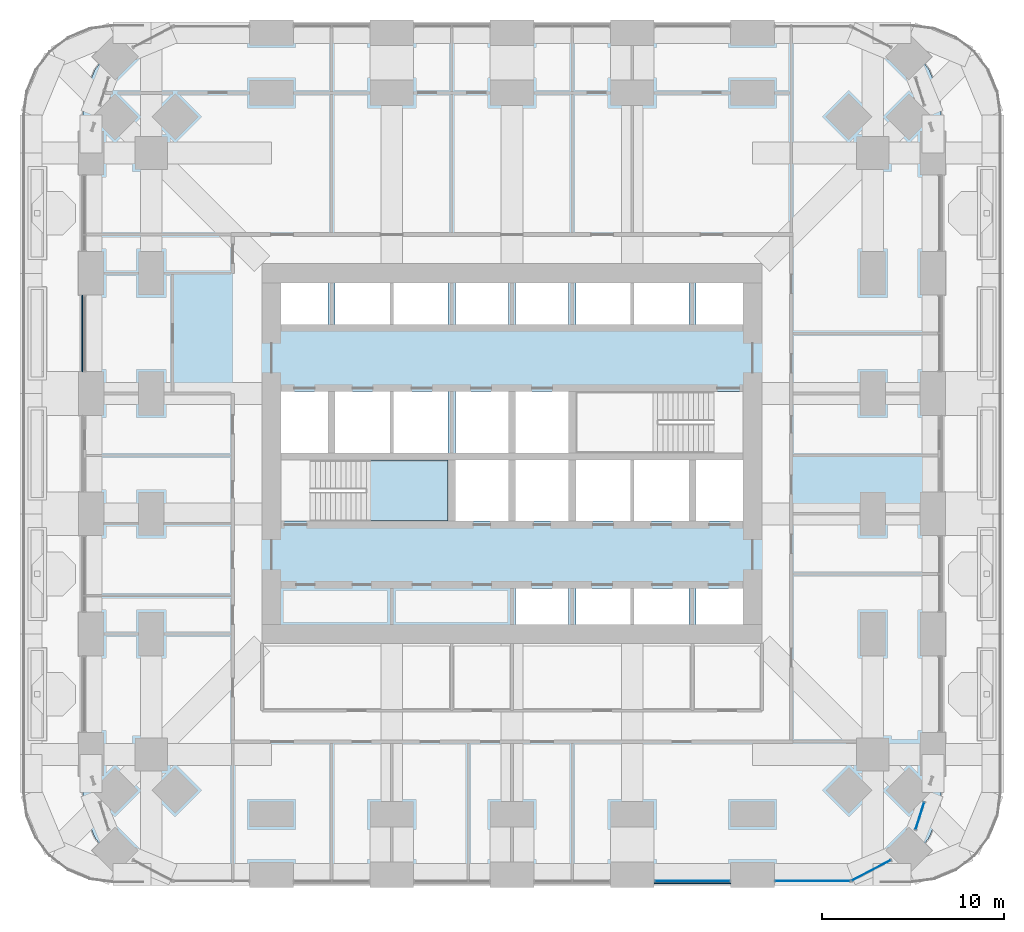
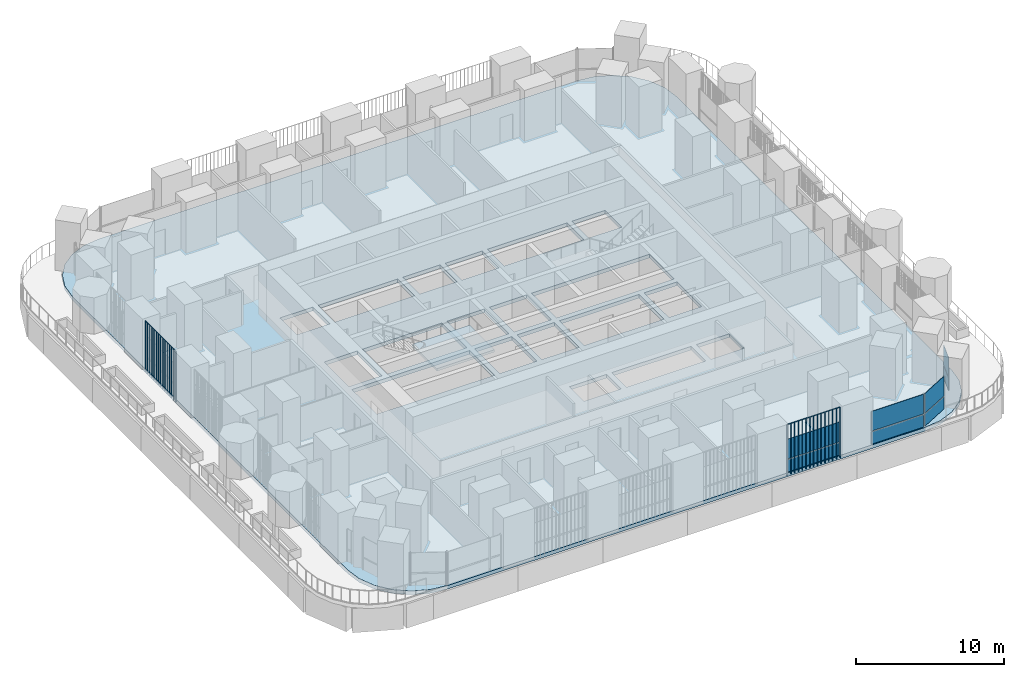
# One storey, part 12 of 27: 10 plates, 2 slabs, 5 elements without a shape of their own.
"""IFC4 building model written with IfcOpenShell, lengths in metres."""

from ifc_helpers import new_model, si_unit, direction, frame, origin, origin_2d, place, context, subcontext, project, spatial, polyline, rectangle, outline, extrude, material, layer, layer_set, type_object, element, aggregate, save


model = new_model("IFC4")

# Units and contexts
model_context = context("Model", 3, precision=1e-05, world=origin(), true_north=direction((0.0, 1.0)))
body_context = subcontext(model_context, "Body", "Model", "MODEL_VIEW")
ifc_project = project(units=[si_unit("LENGTHUNIT", "METRE"), si_unit("AREAUNIT", "SQUARE_METRE"), si_unit("VOLUMEUNIT", "CUBIC_METRE"), si_unit("PLANEANGLEUNIT", "RADIAN"), si_unit("MASSUNIT", "GRAM", prefix="KILO")], contexts=[model_context])

# Site, building, storey
site_placement = place(None, origin())
site = spatial("IfcSite", under=ifc_project, at=site_placement, CompositionType="ELEMENT")
building_placement = place(site_placement, origin())
building = spatial("IfcBuilding", under=site, at=building_placement, Name="Cobogo Forest Laboratory Tower", CompositionType="ELEMENT")
storey_placement = place(building_placement, frame((0.0, 0.0, 82.199951171875)))
storey = spatial("IfcBuildingStorey", under=building, at=storey_placement, Name="L18", CompositionType="ELEMENT", Elevation=82.199951171875)

# Slab
ifc_material_1 = material(Name="Concrete HA-40 (C40/50)", Category="concrete")
ifc_layer_1 = layer(ifc_material_1, 0.300048828125)
ifc_layer_set_1 = layer_set([ifc_layer_1], Name="Floor slab 300")
slab_type_1 = type_object("IfcSlabType", Name="Floor slab 300", PredefinedType="FLOOR", material=ifc_layer_set_1)
slab_1_placement = place(storey_placement, frame((0.0, 0.0, -0.300048828125)))
element("IfcSlab", 1, at=slab_1_placement, inside=storey, type_object=slab_type_1, Name="L18 floor slab", PredefinedType="FLOOR", context=body_context, shape_type="SweptSolid", body=[
    extrude(outline(polyline([(45.0, -0.449951171875), (46.28125, -0.28125), (47.47509765625, 0.213134765625), (48.500244140625, 0.999755859375), (49.286865234375, 2.02490234375), (49.78125, 3.21875), (49.949951171875, 4.5), (49.949951171875, 41.699951171875), (49.78125, 42.981201171875), (49.286865234375, 44.175048828125), (48.500244140625, 45.2001953125), (47.47509765625, 45.98681640625), (46.28125, 46.4814453125), (45.0, 46.64990234375), (7.800048828125, 46.64990234375), (6.518798828125, 46.4814453125), (5.324951171875, 45.98681640625), (4.2998046875, 45.2001953125), (3.51318359375, 44.175048828125), (3.0185546875, 42.981201171875), (2.85009765625, 41.699951171875), (2.85009765625, 4.5), (3.0185546875, 3.21875), (3.51318359375, 2.02490234375), (4.2998046875, 0.999755859375), (5.324951171875, 0.213134765625), (6.518798828125, -0.28125), (7.800048828125, -0.449951171875), (45.0, -0.449951171875)]), holes=[polyline([(29.5, 13.72509765625), (26.60009765625, 13.72509765625), (26.60009765625, 15.699951171875), (29.5, 15.699951171875), (29.5, 13.72509765625)]), polyline([(36.10009765625, 15.699951171875), (36.10009765625, 13.72509765625), (29.89990234375, 13.72509765625), (29.89990234375, 15.699951171875), (36.10009765625, 15.699951171875)]), polyline([(36.5, 13.72509765625), (36.5, 15.699951171875), (39.074951171875, 15.699951171875), (39.074951171875, 13.72509765625), (36.5, 13.72509765625)]), polyline([(13.72509765625, 19.39990234375), (13.72509765625, 22.75), (22.89990234375, 22.75), (22.89990234375, 19.39990234375), (13.72509765625, 19.39990234375)]), polyline([(23.300048828125, 19.39990234375), (23.300048828125, 22.75), (26.199951171875, 22.75), (26.199951171875, 19.39990234375), (23.300048828125, 19.39990234375)]), polyline([(29.5, 19.39990234375), (26.60009765625, 19.39990234375), (26.60009765625, 22.75), (29.5, 22.75), (29.5, 19.39990234375)]), polyline([(36.10009765625, 22.75), (36.10009765625, 19.39990234375), (29.89990234375, 19.39990234375), (29.89990234375, 22.75), (36.10009765625, 22.75)]), polyline([(39.074951171875, 19.39990234375), (36.5, 19.39990234375), (36.5, 22.75), (39.074951171875, 22.75), (39.074951171875, 19.39990234375)]), polyline([(16.300048828125, 23.14990234375), (13.72509765625, 23.14990234375), (13.72509765625, 26.5), (16.300048828125, 26.5), (16.300048828125, 23.14990234375)]), polyline([(22.89990234375, 26.5), (22.89990234375, 23.14990234375), (16.699951171875, 23.14990234375), (16.699951171875, 26.5), (22.89990234375, 26.5)]), polyline([(26.199951171875, 23.14990234375), (23.300048828125, 23.14990234375), (23.300048828125, 26.5), (26.199951171875, 26.5), (26.199951171875, 23.14990234375)]), polyline([(26.60009765625, 23.14990234375), (26.60009765625, 26.5), (29.5, 26.5), (29.5, 23.14990234375), (26.60009765625, 23.14990234375)]), polyline([(29.89990234375, 23.14990234375), (29.89990234375, 26.5), (39.074951171875, 26.5), (39.074951171875, 23.14990234375), (29.89990234375, 23.14990234375)]), polyline([(13.72509765625, 30.199951171875), (13.72509765625, 32.47509765625), (16.300048828125, 32.47509765625), (16.300048828125, 30.199951171875), (13.72509765625, 30.199951171875)]), polyline([(22.89990234375, 32.47509765625), (22.89990234375, 30.199951171875), (16.699951171875, 30.199951171875), (16.699951171875, 32.47509765625), (22.89990234375, 32.47509765625)]), polyline([(23.300048828125, 30.199951171875), (23.300048828125, 32.47509765625), (26.199951171875, 32.47509765625), (26.199951171875, 30.199951171875), (23.300048828125, 30.199951171875)]), polyline([(26.60009765625, 30.199951171875), (26.60009765625, 32.47509765625), (29.5, 32.47509765625), (29.5, 30.199951171875), (26.60009765625, 30.199951171875)]), polyline([(36.10009765625, 32.47509765625), (36.10009765625, 30.199951171875), (29.89990234375, 30.199951171875), (29.89990234375, 32.47509765625), (36.10009765625, 32.47509765625)]), polyline([(36.5, 30.199951171875), (36.5, 32.47509765625), (39.074951171875, 32.47509765625), (39.074951171875, 30.199951171875), (36.5, 30.199951171875)])]), origin(), (0.0, 0.0, 1.0), 0.300048828125),
])

# Curtain wall, plates
ifc_material_2 = material(Name="Aluminium curtain wall", Category="aluminium")
curtain_wall_type = type_object("IfcCurtainWallType", Name="CW-1 unitised curtain wall, clear glazing, laboratory floors zones A and B", PredefinedType="USERDEFINED", material=ifc_material_2)
curtain_wall_1_placement = place(storey_placement, origin())
curtain_wall_1 = element("IfcCurtainWall", 2, at=curtain_wall_1_placement, inside=storey, type_object=curtain_wall_type, Name="Curtain wall 05 L18", ObjectType="UNITISED CURTAIN WALL", PredefinedType="USERDEFINED")
ifc_material_3 = material(Name="Clear insulated glass", Category="glass")
ifc_layer_2 = layer(ifc_material_3, 0.028076171875)
ifc_layer_set_2 = layer_set([ifc_layer_2], Name="GP-1 clear insulated glass unit 28")
plate_type_1 = type_object("IfcPlateType", Name="GP-1 clear insulated glass unit 28", PredefinedType="CURTAIN_PANEL", material=ifc_layer_set_2)
plate_1_placement = place(storey_placement, frame((36.300048828125, -0.35009765625, 0.0), z_axis=(0.0, 0.0, 1.0), x_axis=(1.0, 0.0, 0.0)))
plate_1 = element("IfcPlate", 3, at=plate_1_placement, type_object=plate_type_1, Name="CW-1 panel 1.1", PredefinedType="CURTAIN_PANEL", context=body_context, shape_type="SweptSolid", body=[
    extrude(rectangle(XDim=4.080078125, YDim=0.028076171875, at=origin_2d()), origin(), (0.0, 0.0, 1.0), 1.02001953125),
])
plate_2_placement = place(storey_placement, frame((36.300048828125, -0.35009765625, 1.080078125), z_axis=(0.0, 0.0, 1.0), x_axis=(1.0, 0.0, 0.0)))
plate_2 = element("IfcPlate", 4, at=plate_2_placement, type_object=plate_type_1, Name="CW-1 panel 1.2", PredefinedType="CURTAIN_PANEL", context=body_context, shape_type="SweptSolid", body=[
    extrude(rectangle(XDim=4.080078125, YDim=0.028076171875, at=origin_2d()), origin(), (0.0, 0.0, 1.0), 1.6201171875),
])
aggregate(curtain_wall_1, [plate_1, plate_2])

curtain_wall_2_placement = place(storey_placement, origin())
curtain_wall_2 = element("IfcCurtainWall", 5, at=curtain_wall_2_placement, inside=storey, type_object=curtain_wall_type, Name="Curtain wall 06 L18", ObjectType="UNITISED CURTAIN WALL", PredefinedType="USERDEFINED")
plate_3_placement = place(storey_placement, frame((42.89990234375, -0.35009765625, 0.0), z_axis=(0.0, 0.0, 1.0), x_axis=(1.0, 0.0, 0.0)))
plate_3 = element("IfcPlate", 6, at=plate_3_placement, type_object=plate_type_1, Name="CW-1 panel 1.1", PredefinedType="CURTAIN_PANEL", context=body_context, shape_type="SweptSolid", body=[
    extrude(rectangle(XDim=4.080078125, YDim=0.028076171875, at=origin_2d()), origin(), (0.0, 0.0, 1.0), 1.02001953125),
])
plate_4_placement = place(storey_placement, frame((42.89990234375, -0.35009765625, 1.080078125), z_axis=(0.0, 0.0, 1.0), x_axis=(1.0, 0.0, 0.0)))
plate_4 = element("IfcPlate", 7, at=plate_4_placement, type_object=plate_type_1, Name="CW-1 panel 1.2", PredefinedType="CURTAIN_PANEL", context=body_context, shape_type="SweptSolid", body=[
    extrude(rectangle(XDim=4.080078125, YDim=0.028076171875, at=origin_2d()), origin(), (0.0, 0.0, 1.0), 1.6201171875),
])
aggregate(curtain_wall_2, [plate_3, plate_4])

curtain_wall_3_placement = place(storey_placement, origin())
curtain_wall_3 = element("IfcCurtainWall", 8, at=curtain_wall_3_placement, inside=storey, type_object=curtain_wall_type, Name="Curtain wall 07 L18", ObjectType="UNITISED CURTAIN WALL", PredefinedType="USERDEFINED")
plate_5_placement = place(storey_placement, frame((46.113037109375, 0.233642578125, 0.0), z_axis=(0.0, 0.0, 1.0), x_axis=(0.885686598126, 0.4642835878, 0.0)))
plate_5 = element("IfcPlate", 9, at=plate_5_placement, type_object=plate_type_1, Name="CW-1 panel 1.1", PredefinedType="CURTAIN_PANEL", context=body_context, shape_type="SweptSolid", body=[
    extrude(rectangle(XDim=2.3935546875, YDim=0.028076171875, at=origin_2d()), origin(), (0.0, 0.0, 1.0), 1.02001953125),
])
plate_6_placement = place(storey_placement, frame((46.113037109375, 0.233642578125, 1.080078125), z_axis=(0.0, 0.0, 1.0), x_axis=(0.885686598126, 0.4642835878, 0.0)))
plate_6 = element("IfcPlate", 10, at=plate_6_placement, type_object=plate_type_1, Name="CW-1 panel 1.2", PredefinedType="CURTAIN_PANEL", context=body_context, shape_type="SweptSolid", body=[
    extrude(rectangle(XDim=2.3935546875, YDim=0.028076171875, at=origin_2d()), origin(), (0.0, 0.0, 1.0), 1.6201171875),
])
aggregate(curtain_wall_3, [plate_5, plate_6])

curtain_wall_4_placement = place(storey_placement, origin())
curtain_wall_4 = element("IfcCurtainWall", 11, at=curtain_wall_4_placement, inside=storey, type_object=curtain_wall_type, Name="Curtain wall 08 L18", ObjectType="UNITISED CURTAIN WALL", PredefinedType="USERDEFINED")
plate_7_placement = place(storey_placement, frame((48.7822265625, 3.218505859375, 0.0), z_axis=(0.0, 0.0, 1.0), x_axis=(0.301135106076, 0.953581484661, 0.0)))
plate_7 = element("IfcPlate", 12, at=plate_7_placement, type_object=plate_type_1, Name="CW-1 panel 1.1", PredefinedType="CURTAIN_PANEL", context=body_context, shape_type="SweptSolid", body=[
    extrude(rectangle(XDim=1.54443359375, YDim=0.028076171875, at=origin_2d()), origin(), (0.0, 0.0, 1.0), 1.02001953125),
])
plate_8_placement = place(storey_placement, frame((48.7822265625, 3.218505859375, 1.080078125), z_axis=(0.0, 0.0, 1.0), x_axis=(0.301135106076, 0.953581484661, 0.0)))
plate_8 = element("IfcPlate", 13, at=plate_8_placement, type_object=plate_type_1, Name="CW-1 panel 1.2", PredefinedType="CURTAIN_PANEL", context=body_context, shape_type="SweptSolid", body=[
    extrude(rectangle(XDim=1.54443359375, YDim=0.028076171875, at=origin_2d()), origin(), (0.0, 0.0, 1.0), 1.6201171875),
])
aggregate(curtain_wall_4, [plate_7, plate_8])

# Stair, slab
ifc_material_4 = material(Name="Precast concrete HA-40 (C40/50)", Category="concrete")
stair_type = type_object("IfcStairType", Name="ST24 exit stair 24 risers", PredefinedType="HALF_TURN_STAIR", material=ifc_material_4)
stair_placement = place(storey_placement, origin())
stair = element("IfcStair", 14, at=stair_placement, inside=storey, type_object=stair_type, Name="Stair 1 L18 to L19", PredefinedType="HALF_TURN_STAIR")
ifc_layer_3 = layer(ifc_material_1, 0.199951171875)
ifc_layer_set_3 = layer_set([ifc_layer_3], Name="SL stair landing 200")
slab_type_2 = type_object("IfcSlabType", Name="SL stair landing 200", PredefinedType="LANDING", material=ifc_layer_set_3)
slab_2_placement = place(storey_placement, frame((0.0, 0.0, 1.900146484375)))
slab_2 = element("IfcSlab", 15, at=slab_2_placement, type_object=slab_type_2, Name="ST1 landing 2", PredefinedType="LANDING", context=body_context, shape_type="SweptSolid", body=[
    extrude(outline(polyline([(18.403076171875, 19.39990234375), (22.89990234375, 19.39990234375), (22.89990234375, 22.75), (18.403076171875, 22.75), (18.403076171875, 19.39990234375)])), origin(), (0.0, 0.0, 1.0), 0.199951171875),
])
aggregate(stair, [slab_2])

# Plates
ifc_material_5 = material(Name="Terracotta", Category="masonry")
plate_type_2 = type_object("IfcPlateType", Name="TB1 terracotta baguette screen", PredefinedType="USERDEFINED", material=ifc_material_5)
plate_9_placement = place(storey_placement, frame((34.231201171875, -0.477783203125, -0.14990234375)))
element("IfcPlate", 16, at=plate_9_placement, inside=storey, type_object=plate_type_2, Name="Baguette screen S4 L18", ObjectType="BAGUETTE SCREEN", PredefinedType="USERDEFINED", context=body_context, shape_type="SweptSolid", body=[
    extrude(outline(polyline([(0.02880859375, 0.011962890625), (0.011962890625, 0.02880859375), (-0.011962890625, 0.02880859375), (-0.02880859375, 0.011962890625), (-0.02880859375, -0.011962890625), (-0.011962890625, -0.02880859375), (0.011962890625, -0.02880859375), (0.02880859375, -0.011962890625), (0.02880859375, 0.011962890625)])), frame((0.0, 0.0, 4.168701171875), z_axis=(1.0, 0.0, 0.0), x_axis=(0.0, 1.0, 0.0)), (0.0, 0.0, 1.0), 4.137451171875),
    extrude(outline(polyline([(0.02880859375, 0.011962890625), (0.011962890625, 0.02880859375), (-0.011962890625, 0.02880859375), (-0.02880859375, 0.011962890625), (-0.02880859375, -0.011962890625), (-0.011962890625, -0.02880859375), (0.011962890625, -0.02880859375), (0.02880859375, -0.011962890625), (0.02880859375, 0.011962890625)])), origin(), (0.0, 0.0, 1.0), 4.137451171875),
    extrude(outline(polyline([(0.02880859375, 0.011962890625), (0.011962890625, 0.02880859375), (-0.011962890625, 0.02880859375), (-0.02880859375, 0.011962890625), (-0.02880859375, -0.011962890625), (-0.011962890625, -0.02880859375), (0.011962890625, -0.02880859375), (0.02880859375, -0.011962890625), (0.02880859375, 0.011962890625)])), frame((0.29541015625, 0.0, 0.0)), (0.0, 0.0, 1.0), 4.137451171875),
    extrude(outline(polyline([(0.02880859375, 0.011962890625), (0.011962890625, 0.02880859375), (-0.011962890625, 0.02880859375), (-0.02880859375, 0.011962890625), (-0.02880859375, -0.011962890625), (-0.011962890625, -0.02880859375), (0.011962890625, -0.02880859375), (0.02880859375, -0.011962890625), (0.02880859375, 0.011962890625)])), frame((0.591064453125, 0.0, 0.0)), (0.0, 0.0, 1.0), 4.137451171875),
    extrude(outline(polyline([(0.02880859375, 0.011962890625), (0.011962890625, 0.02880859375), (-0.011962890625, 0.02880859375), (-0.02880859375, 0.011962890625), (-0.02880859375, -0.011962890625), (-0.011962890625, -0.02880859375), (0.011962890625, -0.02880859375), (0.02880859375, -0.011962890625), (0.02880859375, 0.011962890625)])), frame((0.88671875, 0.0, 0.0)), (0.0, 0.0, 1.0), 4.137451171875),
    extrude(outline(polyline([(0.02880859375, 0.011962890625), (0.011962890625, 0.02880859375), (-0.011962890625, 0.02880859375), (-0.02880859375, 0.011962890625), (-0.02880859375, -0.011962890625), (-0.011962890625, -0.02880859375), (0.011962890625, -0.02880859375), (0.02880859375, -0.011962890625), (0.02880859375, 0.011962890625)])), frame((1.18212890625, 0.0, 0.0)), (0.0, 0.0, 1.0), 4.137451171875),
    extrude(outline(polyline([(0.02880859375, 0.011962890625), (0.011962890625, 0.02880859375), (-0.011962890625, 0.02880859375), (-0.02880859375, 0.011962890625), (-0.02880859375, -0.011962890625), (-0.011962890625, -0.02880859375), (0.011962890625, -0.02880859375), (0.02880859375, -0.011962890625), (0.02880859375, 0.011962890625)])), frame((1.4775390625, 0.0, 0.0)), (0.0, 0.0, 1.0), 4.137451171875),
    extrude(outline(polyline([(0.02880859375, 0.011962890625), (0.011962890625, 0.02880859375), (-0.011962890625, 0.02880859375), (-0.02880859375, 0.011962890625), (-0.02880859375, -0.011962890625), (-0.011962890625, -0.02880859375), (0.011962890625, -0.02880859375), (0.02880859375, -0.011962890625), (0.02880859375, 0.011962890625)])), frame((1.773193359375, 0.0, 0.0)), (0.0, 0.0, 1.0), 4.137451171875),
    extrude(outline(polyline([(0.02880859375, 0.011962890625), (0.011962890625, 0.02880859375), (-0.011962890625, 0.02880859375), (-0.02880859375, 0.011962890625), (-0.02880859375, -0.011962890625), (-0.011962890625, -0.02880859375), (0.011962890625, -0.02880859375), (0.02880859375, -0.011962890625), (0.02880859375, 0.011962890625)])), frame((2.06884765625, 0.0, 0.0)), (0.0, 0.0, 1.0), 4.137451171875),
    extrude(outline(polyline([(0.02880859375, 0.011962890625), (0.011962890625, 0.02880859375), (-0.011962890625, 0.02880859375), (-0.02880859375, 0.011962890625), (-0.02880859375, -0.011962890625), (-0.011962890625, -0.02880859375), (0.011962890625, -0.02880859375), (0.02880859375, -0.011962890625), (0.02880859375, 0.011962890625)])), frame((2.3642578125, 0.0, 0.0)), (0.0, 0.0, 1.0), 4.137451171875),
    extrude(outline(polyline([(0.02880859375, 0.011962890625), (0.011962890625, 0.02880859375), (-0.011962890625, 0.02880859375), (-0.02880859375, 0.011962890625), (-0.02880859375, -0.011962890625), (-0.011962890625, -0.02880859375), (0.011962890625, -0.02880859375), (0.02880859375, -0.011962890625), (0.02880859375, 0.011962890625)])), frame((2.65966796875, 0.0, 0.0)), (0.0, 0.0, 1.0), 4.137451171875),
    extrude(outline(polyline([(0.02880859375, 0.011962890625), (0.011962890625, 0.02880859375), (-0.011962890625, 0.02880859375), (-0.02880859375, 0.011962890625), (-0.02880859375, -0.011962890625), (-0.011962890625, -0.02880859375), (0.011962890625, -0.02880859375), (0.02880859375, -0.011962890625), (0.02880859375, 0.011962890625)])), frame((2.955322265625, 0.0, 0.0)), (0.0, 0.0, 1.0), 4.137451171875),
    extrude(outline(polyline([(0.02880859375, 0.011962890625), (0.011962890625, 0.02880859375), (-0.011962890625, 0.02880859375), (-0.02880859375, 0.011962890625), (-0.02880859375, -0.011962890625), (-0.011962890625, -0.02880859375), (0.011962890625, -0.02880859375), (0.02880859375, -0.011962890625), (0.02880859375, 0.011962890625)])), frame((3.2509765625, 0.0, 0.0)), (0.0, 0.0, 1.0), 4.137451171875),
    extrude(outline(polyline([(0.02880859375, 0.011962890625), (0.011962890625, 0.02880859375), (-0.011962890625, 0.02880859375), (-0.02880859375, 0.011962890625), (-0.02880859375, -0.011962890625), (-0.011962890625, -0.02880859375), (0.011962890625, -0.02880859375), (0.02880859375, -0.011962890625), (0.02880859375, 0.011962890625)])), frame((3.54638671875, 0.0, 0.0)), (0.0, 0.0, 1.0), 4.137451171875),
    extrude(outline(polyline([(0.02880859375, 0.011962890625), (0.011962890625, 0.02880859375), (-0.011962890625, 0.02880859375), (-0.02880859375, 0.011962890625), (-0.02880859375, -0.011962890625), (-0.011962890625, -0.02880859375), (0.011962890625, -0.02880859375), (0.02880859375, -0.011962890625), (0.02880859375, 0.011962890625)])), frame((3.841796875, 0.0, 0.0)), (0.0, 0.0, 1.0), 4.137451171875),
    extrude(outline(polyline([(0.02880859375, 0.011962890625), (0.011962890625, 0.02880859375), (-0.011962890625, 0.02880859375), (-0.02880859375, 0.011962890625), (-0.02880859375, -0.011962890625), (-0.011962890625, -0.02880859375), (0.011962890625, -0.02880859375), (0.02880859375, -0.011962890625), (0.02880859375, 0.011962890625)])), frame((4.137451171875, 0.0, 0.0)), (0.0, 0.0, 1.0), 4.137451171875),
])
plate_10_placement = place(storey_placement, frame((2.822021484375, 27.63134765625, -0.14990234375)))
element("IfcPlate", 17, at=plate_10_placement, inside=storey, type_object=plate_type_2, Name="Baguette screen W4 L18", ObjectType="BAGUETTE SCREEN", PredefinedType="USERDEFINED", context=body_context, shape_type="SweptSolid", body=[
    extrude(outline(polyline([(0.02880859375, 0.011962890625), (0.011962890625, 0.02880859375), (-0.011962890625, 0.02880859375), (-0.02880859375, 0.011962890625), (-0.02880859375, -0.011962890625), (-0.011962890625, -0.02880859375), (0.011962890625, -0.02880859375), (0.02880859375, -0.011962890625), (0.02880859375, 0.011962890625)])), frame((0.0, 0.0, 4.168701171875), z_axis=(0.0, 1.0, 0.0), x_axis=(-1.0, 0.0, 0.0)), (0.0, 0.0, 1.0), 4.137451171875),
    extrude(outline(polyline([(0.02880859375, 0.011962890625), (0.011962890625, 0.02880859375), (-0.011962890625, 0.02880859375), (-0.02880859375, 0.011962890625), (-0.02880859375, -0.011962890625), (-0.011962890625, -0.02880859375), (0.011962890625, -0.02880859375), (0.02880859375, -0.011962890625), (0.02880859375, 0.011962890625)])), origin(), (0.0, 0.0, 1.0), 4.137451171875),
    extrude(outline(polyline([(0.02880859375, 0.011962890625), (0.011962890625, 0.02880859375), (-0.011962890625, 0.02880859375), (-0.02880859375, 0.011962890625), (-0.02880859375, -0.011962890625), (-0.011962890625, -0.02880859375), (0.011962890625, -0.02880859375), (0.02880859375, -0.011962890625), (0.02880859375, 0.011962890625)])), frame((0.0, 0.29541015625, 0.0)), (0.0, 0.0, 1.0), 4.137451171875),
    extrude(outline(polyline([(0.02880859375, 0.011962890625), (0.011962890625, 0.02880859375), (-0.011962890625, 0.02880859375), (-0.02880859375, 0.011962890625), (-0.02880859375, -0.011962890625), (-0.011962890625, -0.02880859375), (0.011962890625, -0.02880859375), (0.02880859375, -0.011962890625), (0.02880859375, 0.011962890625)])), frame((0.0, 0.591064453125, 0.0)), (0.0, 0.0, 1.0), 4.137451171875),
    extrude(outline(polyline([(0.02880859375, 0.011962890625), (0.011962890625, 0.02880859375), (-0.011962890625, 0.02880859375), (-0.02880859375, 0.011962890625), (-0.02880859375, -0.011962890625), (-0.011962890625, -0.02880859375), (0.011962890625, -0.02880859375), (0.02880859375, -0.011962890625), (0.02880859375, 0.011962890625)])), frame((0.0, 0.88671875, 0.0)), (0.0, 0.0, 1.0), 4.137451171875),
    extrude(outline(polyline([(0.02880859375, 0.011962890625), (0.011962890625, 0.02880859375), (-0.011962890625, 0.02880859375), (-0.02880859375, 0.011962890625), (-0.02880859375, -0.011962890625), (-0.011962890625, -0.02880859375), (0.011962890625, -0.02880859375), (0.02880859375, -0.011962890625), (0.02880859375, 0.011962890625)])), frame((0.0, 1.18212890625, 0.0)), (0.0, 0.0, 1.0), 4.137451171875),
    extrude(outline(polyline([(0.02880859375, 0.011962890625), (0.011962890625, 0.02880859375), (-0.011962890625, 0.02880859375), (-0.02880859375, 0.011962890625), (-0.02880859375, -0.011962890625), (-0.011962890625, -0.02880859375), (0.011962890625, -0.02880859375), (0.02880859375, -0.011962890625), (0.02880859375, 0.011962890625)])), frame((0.0, 1.4775390625, 0.0)), (0.0, 0.0, 1.0), 4.137451171875),
    extrude(outline(polyline([(0.02880859375, 0.011962890625), (0.011962890625, 0.02880859375), (-0.011962890625, 0.02880859375), (-0.02880859375, 0.011962890625), (-0.02880859375, -0.011962890625), (-0.011962890625, -0.02880859375), (0.011962890625, -0.02880859375), (0.02880859375, -0.011962890625), (0.02880859375, 0.011962890625)])), frame((0.0, 1.773193359375, 0.0)), (0.0, 0.0, 1.0), 4.137451171875),
    extrude(outline(polyline([(0.02880859375, 0.011962890625), (0.011962890625, 0.02880859375), (-0.011962890625, 0.02880859375), (-0.02880859375, 0.011962890625), (-0.02880859375, -0.011962890625), (-0.011962890625, -0.02880859375), (0.011962890625, -0.02880859375), (0.02880859375, -0.011962890625), (0.02880859375, 0.011962890625)])), frame((0.0, 2.06884765625, 0.0)), (0.0, 0.0, 1.0), 4.137451171875),
    extrude(outline(polyline([(0.02880859375, 0.011962890625), (0.011962890625, 0.02880859375), (-0.011962890625, 0.02880859375), (-0.02880859375, 0.011962890625), (-0.02880859375, -0.011962890625), (-0.011962890625, -0.02880859375), (0.011962890625, -0.02880859375), (0.02880859375, -0.011962890625), (0.02880859375, 0.011962890625)])), frame((0.0, 2.3642578125, 0.0)), (0.0, 0.0, 1.0), 4.137451171875),
    extrude(outline(polyline([(0.02880859375, 0.011962890625), (0.011962890625, 0.02880859375), (-0.011962890625, 0.02880859375), (-0.02880859375, 0.011962890625), (-0.02880859375, -0.011962890625), (-0.011962890625, -0.02880859375), (0.011962890625, -0.02880859375), (0.02880859375, -0.011962890625), (0.02880859375, 0.011962890625)])), frame((0.0, 2.65966796875, 0.0)), (0.0, 0.0, 1.0), 4.137451171875),
    extrude(outline(polyline([(0.02880859375, 0.011962890625), (0.011962890625, 0.02880859375), (-0.011962890625, 0.02880859375), (-0.02880859375, 0.011962890625), (-0.02880859375, -0.011962890625), (-0.011962890625, -0.02880859375), (0.011962890625, -0.02880859375), (0.02880859375, -0.011962890625), (0.02880859375, 0.011962890625)])), frame((0.0, 2.955322265625, 0.0)), (0.0, 0.0, 1.0), 4.137451171875),
    extrude(outline(polyline([(0.02880859375, 0.011962890625), (0.011962890625, 0.02880859375), (-0.011962890625, 0.02880859375), (-0.02880859375, 0.011962890625), (-0.02880859375, -0.011962890625), (-0.011962890625, -0.02880859375), (0.011962890625, -0.02880859375), (0.02880859375, -0.011962890625), (0.02880859375, 0.011962890625)])), frame((0.0, 3.2509765625, 0.0)), (0.0, 0.0, 1.0), 4.137451171875),
    extrude(outline(polyline([(0.02880859375, 0.011962890625), (0.011962890625, 0.02880859375), (-0.011962890625, 0.02880859375), (-0.02880859375, 0.011962890625), (-0.02880859375, -0.011962890625), (-0.011962890625, -0.02880859375), (0.011962890625, -0.02880859375), (0.02880859375, -0.011962890625), (0.02880859375, 0.011962890625)])), frame((0.0, 3.54638671875, 0.0)), (0.0, 0.0, 1.0), 4.137451171875),
    extrude(outline(polyline([(0.02880859375, 0.011962890625), (0.011962890625, 0.02880859375), (-0.011962890625, 0.02880859375), (-0.02880859375, 0.011962890625), (-0.02880859375, -0.011962890625), (-0.011962890625, -0.02880859375), (0.011962890625, -0.02880859375), (0.02880859375, -0.011962890625), (0.02880859375, 0.011962890625)])), frame((0.0, 3.841796875, 0.0)), (0.0, 0.0, 1.0), 4.137451171875),
    extrude(outline(polyline([(0.02880859375, 0.011962890625), (0.011962890625, 0.02880859375), (-0.011962890625, 0.02880859375), (-0.02880859375, 0.011962890625), (-0.02880859375, -0.011962890625), (-0.011962890625, -0.02880859375), (0.011962890625, -0.02880859375), (0.02880859375, -0.011962890625), (0.02880859375, 0.011962890625)])), frame((0.0, 4.137451171875, 0.0)), (0.0, 0.0, 1.0), 4.137451171875),
])

save(model, "model.ifc")
